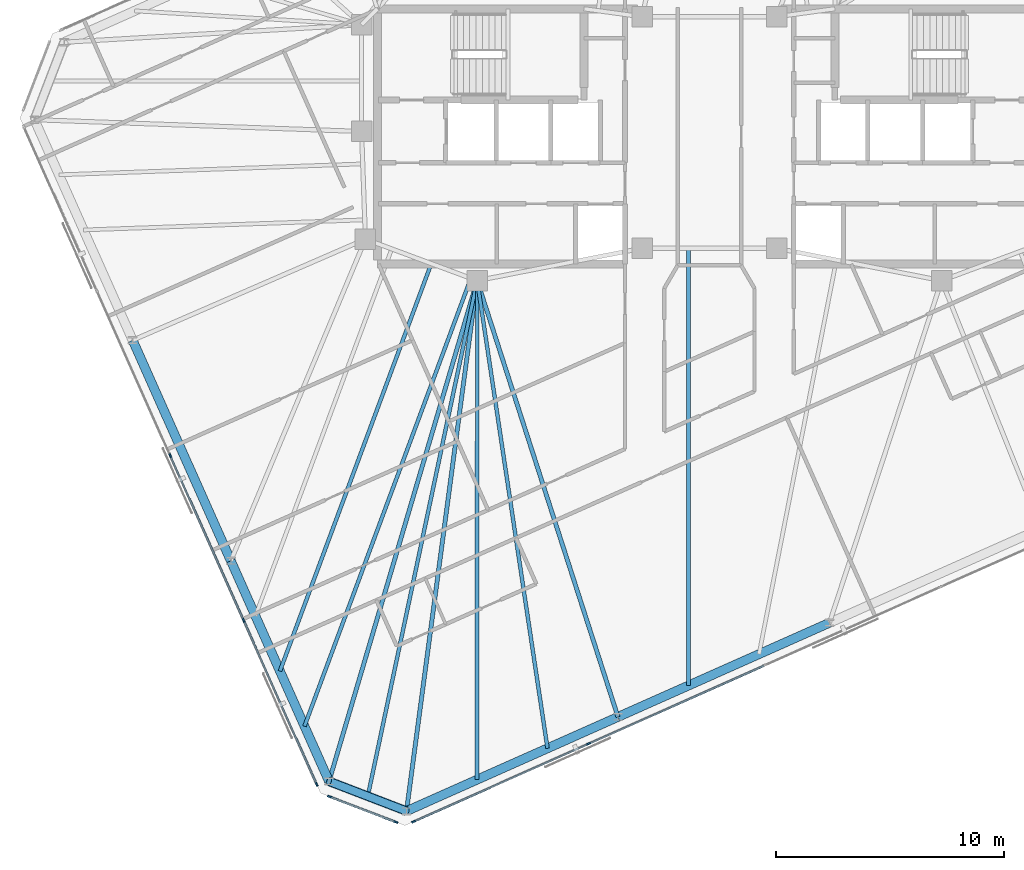
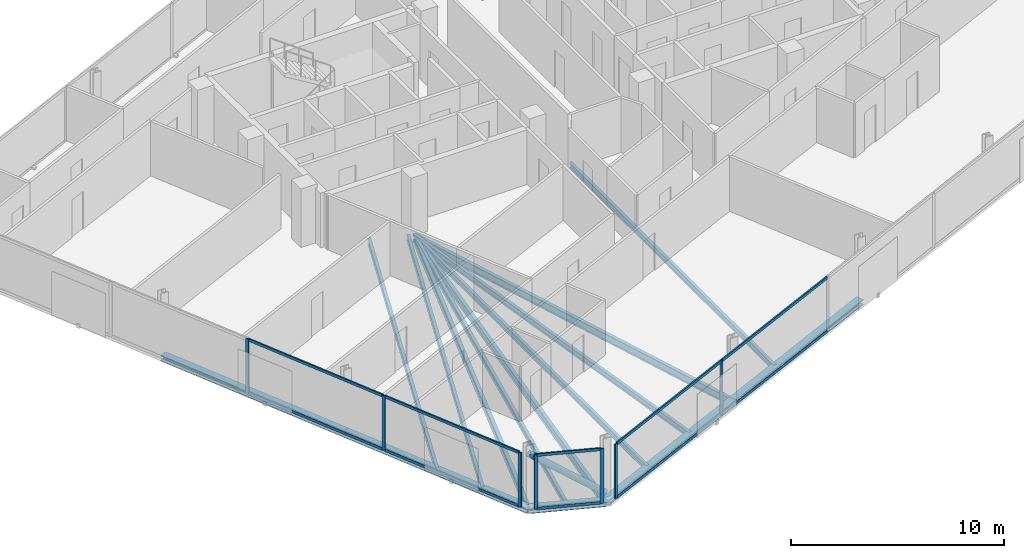
# One storey, part 5 of 18: 18 members, 14 beams, 3 elements without a shape of their own.
"""IFC4 building model written with IfcOpenShell, lengths in metres."""

from ifc_helpers import new_model, si_unit, direction, frame, origin, origin_2d, place, context, subcontext, project, spatial, rectangle, hollow_circle, i_section, extrude, material, material_profile, profile_set, type_object, element, aggregate, save


model = new_model("IFC4")

# Units and contexts
model_context = context("Model", 3, precision=1e-05, world=origin(), true_north=direction((0.0, 1.0)))
body_context = subcontext(model_context, "Body", "Model", "MODEL_VIEW")
ifc_project = project(units=[si_unit("LENGTHUNIT", "METRE"), si_unit("AREAUNIT", "SQUARE_METRE"), si_unit("VOLUMEUNIT", "CUBIC_METRE"), si_unit("PLANEANGLEUNIT", "RADIAN"), si_unit("MASSUNIT", "GRAM", prefix="KILO")], contexts=[model_context])

# Site, building, storey
site_placement = place(None, origin())
site = spatial("IfcSite", under=ifc_project, at=site_placement, CompositionType="ELEMENT")
building_placement = place(site_placement, origin())
building = spatial("IfcBuilding", under=site, at=building_placement, Name="Menara Jurai Vektor", CompositionType="ELEMENT")
storey_placement = place(building_placement, frame((0.0, 0.0, 258.85009765625)))
storey = spatial("IfcBuildingStorey", under=building, at=storey_placement, Name="L69", CompositionType="ELEMENT", Elevation=258.85009765625)

# Curtain wall, members
ifc_material_1 = material(Name="Anodised Pale Aluminium & Low-E Double Glazing", Category="aluminium")
curtain_wall_type = type_object("IfcCurtainWallType", Name="CW-BLK5", PredefinedType="NOTDEFINED", material=ifc_material_1)
curtain_wall_1_placement = place(storey_placement, origin())
curtain_wall_1 = element("IfcCurtainWall", 1, at=curtain_wall_1_placement, inside=storey, type_object=curtain_wall_type, Name="Unitised Curtain Wall L69 F01", PredefinedType="NOTDEFINED")
ifc_material_2 = material(Name="Anodised Pale Aluminium Mullion", Category="aluminium")
ifc_material_profile_1 = material_profile(ifc_material_2, rectangle(XDim=0.074951171875, YDim=0.175048828125, at=origin_2d()), Name="ALU MUL 75x175")
ifc_profile_set_1 = profile_set([ifc_material_profile_1], Name="Anodised Pale Aluminium Mullion")
member_type_1 = type_object("IfcMemberType", Name="CW-BLK5-MUL", PredefinedType="MULLION", material=ifc_profile_set_1)
member_1_placement = place(storey_placement, frame((-12.96875, -30.04052734375, 0.0), z_axis=(0.0, 0.0, 1.0), x_axis=(-0.406735498684, 0.913545967158, 0.0)))
member_1 = element("IfcMember", 2, at=member_1_placement, type_object=member_type_1, Name="CW-05 mullion 1", PredefinedType="MULLION", context=body_context, shape_type="SweptSolid", body=[
    extrude(rectangle(XDim=0.074951171875, YDim=0.175048828125, at=origin_2d()), origin(), (0.0, 0.0, 1.0), 3.125),
])
member_2_placement = place(storey_placement, frame((-5.292724609375, -26.623046875, 0.0), z_axis=(0.0, 0.0, 1.0), x_axis=(-0.406735498684, 0.913545967158, 0.0)))
member_2 = element("IfcMember", 3, at=member_2_placement, type_object=member_type_1, Name="CW-05 mullion 2", PredefinedType="MULLION", context=body_context, shape_type="SweptSolid", body=[
    extrude(rectangle(XDim=0.074951171875, YDim=0.175048828125, at=origin_2d()), origin(), (0.0, 0.0, 1.0), 3.125),
])

curtain_wall_2_placement = place(storey_placement, origin())
curtain_wall_2 = element("IfcCurtainWall", 4, at=curtain_wall_2_placement, inside=storey, type_object=curtain_wall_type, Name="Unitised Curtain Wall L69 F07", PredefinedType="NOTDEFINED")
member_3_placement = place(storey_placement, frame((-23.635986328125, -13.991943359375, 0.0), z_axis=(0.0, 0.0, 1.0), x_axis=(0.913546127706, 0.406735138086, 0.0)))
member_3 = element("IfcMember", 5, at=member_3_placement, type_object=member_type_1, Name="CW-05 mullion 3", PredefinedType="MULLION", context=body_context, shape_type="SweptSolid", body=[
    extrude(rectangle(XDim=0.074951171875, YDim=0.175048828125, at=origin_2d()), origin(), (0.0, 0.0, 1.0), 3.125),
])
member_4_placement = place(storey_placement, frame((-20.418701171875, -21.21826171875, 0.0), z_axis=(0.0, 0.0, 1.0), x_axis=(0.913546127706, 0.406735138086, 0.0)))
member_4 = element("IfcMember", 6, at=member_4_placement, type_object=member_type_1, Name="CW-05 mullion 4", PredefinedType="MULLION", context=body_context, shape_type="SweptSolid", body=[
    extrude(rectangle(XDim=0.074951171875, YDim=0.175048828125, at=origin_2d()), origin(), (0.0, 0.0, 1.0), 3.125),
])
member_5_placement = place(storey_placement, frame((-17.216796875, -28.41015625, 0.0), z_axis=(0.0, 0.0, 1.0), x_axis=(0.913546127706, 0.406735138086, 0.0)))
member_5 = element("IfcMember", 7, at=member_5_placement, type_object=member_type_1, Name="CW-05 mullion 5", PredefinedType="MULLION", context=body_context, shape_type="SweptSolid", body=[
    extrude(rectangle(XDim=0.074951171875, YDim=0.175048828125, at=origin_2d()), origin(), (0.0, 0.0, 1.0), 3.125),
])

curtain_wall_3_placement = place(storey_placement, origin())
curtain_wall_3 = element("IfcCurtainWall", 8, at=curtain_wall_3_placement, inside=storey, type_object=curtain_wall_type, Name="Unitised Curtain Wall L69 F08", PredefinedType="NOTDEFINED")
member_6_placement = place(storey_placement, frame((-16.656982421875, -28.94091796875, 0.0), z_axis=(0.0, 0.0, 1.0), x_axis=(0.358373766287, 0.933578193639, 0.0)))
member_6 = element("IfcMember", 9, at=member_6_placement, type_object=member_type_1, Name="CW-05 mullion 1", PredefinedType="MULLION", context=body_context, shape_type="SweptSolid", body=[
    extrude(rectangle(XDim=0.074951171875, YDim=0.175048828125, at=origin_2d()), origin(), (0.0, 0.0, 1.0), 3.125),
])
member_7_placement = place(storey_placement, frame((-13.739990234375, -30.060791015625, 0.0), z_axis=(0.0, 0.0, 1.0), x_axis=(0.358373766287, 0.933578193639, 0.0)))
member_7 = element("IfcMember", 10, at=member_7_placement, type_object=member_type_1, Name="CW-05 mullion 2", PredefinedType="MULLION", context=body_context, shape_type="SweptSolid", body=[
    extrude(rectangle(XDim=0.074951171875, YDim=0.175048828125, at=origin_2d()), origin(), (0.0, 0.0, 1.0), 3.125),
])

# Member
ifc_material_3 = material(Name="Anodised Pale Aluminium Transom", Category="aluminium")
ifc_material_profile_2 = material_profile(ifc_material_3, rectangle(XDim=0.074951171875, YDim=0.155029296875, at=origin_2d()), Name="ALU TRN 75x155")
ifc_profile_set_2 = profile_set([ifc_material_profile_2], Name="Anodised Pale Aluminium Transom")
member_type_2 = type_object("IfcMemberType", Name="CW-BLK5-TRN", PredefinedType="USERDEFINED", material=ifc_profile_set_2)
member_8_placement = place(storey_placement, frame((-12.9345703125, -30.025390625, 0.037353515625), z_axis=(0.913542963736, 0.406742244436, 0.0), x_axis=(-0.406742244436, 0.913542963736, 0.0)))
member_8 = element("IfcMember", 11, at=member_8_placement, type_object=member_type_2, Name="CW-05 transom 1.1", ObjectType="TRANSOM", PredefinedType="USERDEFINED", context=body_context, shape_type="SweptSolid", body=[
    extrude(rectangle(XDim=0.074951171875, YDim=0.155029296875, at=origin_2d()), origin(), (0.0, 0.0, 1.0), 8.32763671875),
])

member_9_placement = place(storey_placement, frame((-12.9345703125, -30.025390625, 3.08740234375), z_axis=(0.913542963736, 0.406742244436, 0.0), x_axis=(-0.406742244436, 0.913542963736, 0.0)))
member_9 = element("IfcMember", 12, at=member_9_placement, type_object=member_type_2, Name="CW-05 transom 1.2", ObjectType="TRANSOM", PredefinedType="USERDEFINED", context=body_context, shape_type="SweptSolid", body=[
    extrude(rectangle(XDim=0.074951171875, YDim=0.155029296875, at=origin_2d()), origin(), (0.0, 0.0, 1.0), 8.32763671875),
])

member_10_placement = place(storey_placement, frame((-5.25830078125, -26.60791015625, 0.037353515625), z_axis=(0.913541747007, 0.406744977198, 0.0), x_axis=(-0.406744977198, 0.913541747007, 0.0)))
member_10 = element("IfcMember", 13, at=member_10_placement, type_object=member_type_2, Name="CW-05 transom 2.1", ObjectType="TRANSOM", PredefinedType="USERDEFINED", context=body_context, shape_type="SweptSolid", body=[
    extrude(rectangle(XDim=0.074951171875, YDim=0.155029296875, at=origin_2d()), origin(), (0.0, 0.0, 1.0), 8.36474609375),
])

member_11_placement = place(storey_placement, frame((-5.25830078125, -26.60791015625, 3.08740234375), z_axis=(0.913541747007, 0.406744977198, 0.0), x_axis=(-0.406744977198, 0.913541747007, 0.0)))
member_11 = element("IfcMember", 14, at=member_11_placement, type_object=member_type_2, Name="CW-05 transom 2.2", ObjectType="TRANSOM", PredefinedType="USERDEFINED", context=body_context, shape_type="SweptSolid", body=[
    extrude(rectangle(XDim=0.074951171875, YDim=0.155029296875, at=origin_2d()), origin(), (0.0, 0.0, 1.0), 8.36474609375),
])

aggregate(curtain_wall_1, [member_1, member_2, member_8, member_9, member_10, member_11])

member_12_placement = place(storey_placement, frame((-23.620849609375, -14.0263671875, 0.037353515625), z_axis=(0.40674264085, -0.913542787238, 0.0), x_axis=(0.913542787238, 0.40674264085, 0.0)))
member_12 = element("IfcMember", 15, at=member_12_placement, type_object=member_type_2, Name="CW-05 transom 3.1", ObjectType="TRANSOM", PredefinedType="USERDEFINED", context=body_context, shape_type="SweptSolid", body=[
    extrude(rectangle(XDim=0.074951171875, YDim=0.155029296875, at=origin_2d()), origin(), (0.0, 0.0, 1.0), 7.8349609375),
])

member_13_placement = place(storey_placement, frame((-23.620849609375, -14.0263671875, 3.08740234375), z_axis=(0.40674264085, -0.913542787238, 0.0), x_axis=(0.913542787238, 0.40674264085, 0.0)))
member_13 = element("IfcMember", 16, at=member_13_placement, type_object=member_type_2, Name="CW-05 transom 3.2", ObjectType="TRANSOM", PredefinedType="USERDEFINED", context=body_context, shape_type="SweptSolid", body=[
    extrude(rectangle(XDim=0.074951171875, YDim=0.155029296875, at=origin_2d()), origin(), (0.0, 0.0, 1.0), 7.8349609375),
])

member_14_placement = place(storey_placement, frame((-20.403564453125, -21.25244140625, 0.037353515625), z_axis=(0.406751345283, -0.913538911656, 0.0), x_axis=(0.913538911656, 0.406751345283, 0.0)))
member_14 = element("IfcMember", 17, at=member_14_placement, type_object=member_type_2, Name="CW-05 transom 4.1", ObjectType="TRANSOM", PredefinedType="USERDEFINED", context=body_context, shape_type="SweptSolid", body=[
    extrude(rectangle(XDim=0.074951171875, YDim=0.155029296875, at=origin_2d()), origin(), (0.0, 0.0, 1.0), 7.79736328125),
])

member_15_placement = place(storey_placement, frame((-20.403564453125, -21.25244140625, 3.08740234375), z_axis=(0.406751345283, -0.913538911656, 0.0), x_axis=(0.913538911656, 0.406751345283, 0.0)))
member_15 = element("IfcMember", 18, at=member_15_placement, type_object=member_type_2, Name="CW-05 transom 4.2", ObjectType="TRANSOM", PredefinedType="USERDEFINED", context=body_context, shape_type="SweptSolid", body=[
    extrude(rectangle(XDim=0.074951171875, YDim=0.155029296875, at=origin_2d()), origin(), (0.0, 0.0, 1.0), 7.79736328125),
])

aggregate(curtain_wall_2, [member_3, member_4, member_5, member_12, member_13, member_14, member_15])

member_16_placement = place(storey_placement, frame((-16.6220703125, -28.95458984375, 0.037353515625), z_axis=(0.933597094911, -0.358324523823, 0.0), x_axis=(0.358324523823, 0.933597094911, 0.0)))
member_16 = element("IfcMember", 19, at=member_16_placement, type_object=member_type_2, Name="CW-05 transom 1.1", ObjectType="TRANSOM", PredefinedType="USERDEFINED", context=body_context, shape_type="SweptSolid", body=[
    extrude(rectangle(XDim=0.074951171875, YDim=0.155029296875, at=origin_2d()), origin(), (0.0, 0.0, 1.0), 3.049560546875),
])

member_17_placement = place(storey_placement, frame((-16.6220703125, -28.95458984375, 3.08740234375), z_axis=(0.933597094911, -0.358324523823, 0.0), x_axis=(0.358324523823, 0.933597094911, 0.0)))
member_17 = element("IfcMember", 20, at=member_17_placement, type_object=member_type_2, Name="CW-05 transom 1.2", ObjectType="TRANSOM", PredefinedType="USERDEFINED", context=body_context, shape_type="SweptSolid", body=[
    extrude(rectangle(XDim=0.074951171875, YDim=0.155029296875, at=origin_2d()), origin(), (0.0, 0.0, 1.0), 3.049560546875),
])

aggregate(curtain_wall_3, [member_6, member_7, member_16, member_17])

# Beams
ifc_material_4 = material(Name="Steel S355", Category="steel")
ifc_material_profile_3 = material_profile(ifc_material_4, i_section(OverallWidth=0.18505859375, OverallDepth=0.429931640625, WebThickness=0.010986328125, FlangeThickness=0.01806640625, at=origin_2d()), Name="PG 430x185x76")
ifc_profile_set_3 = profile_set([ifc_material_profile_3], Name="Steel S355")
beam_type_1 = type_object("IfcBeamType", Name="STR-BM-430", PredefinedType="BEAM", material=ifc_profile_set_3)
beam_1_placement = place(storey_placement, frame((-13.279541015625, -29.576904296875, -0.440185546875), z_axis=(0.132109192855, 0.991235169454, 0.0), x_axis=(-0.991235169454, 0.132109192855, 0.0)))
element("IfcBeam", 21, at=beam_1_placement, inside=storey, type_object=beam_type_1, Name="Radial Floor Girder L69-S1", PredefinedType="BEAM", context=body_context, shape_type="SweptSolid", body=[
    extrude(i_section(OverallWidth=0.18505859375, OverallDepth=0.429931640625, WebThickness=0.010986328125, FlangeThickness=0.01806640625, at=origin_2d()), origin(), (0.0, 0.0, 1.0), 23.46240234375),
])
beam_2_placement = place(storey_placement, frame((-4.006103515625, -25.4482421875, -0.440185546875), z_axis=(-0.307158217721, 0.95165846252, 0.0), x_axis=(-0.95165846252, -0.307158217721, 0.0)))
element("IfcBeam", 22, at=beam_2_placement, inside=storey, type_object=beam_type_1, Name="Radial Floor Girder L69-S2", PredefinedType="BEAM", context=body_context, shape_type="SweptSolid", body=[
    extrude(i_section(OverallWidth=0.18505859375, OverallDepth=0.429931640625, WebThickness=0.010986328125, FlangeThickness=0.01806640625, at=origin_2d()), origin(), (0.0, 0.0, 1.0), 20.099853515625),
])
beam_3_placement = place(storey_placement, frame((-16.675537109375, -28.2734375, -0.440185546875), z_axis=(0.283723047838, 0.958906268686, 0.0), x_axis=(-0.958906268686, 0.283723047838, 0.0)))
element("IfcBeam", 23, at=beam_3_placement, inside=storey, type_object=beam_type_1, Name="Radial Floor Girder L69-W4", PredefinedType="BEAM", context=body_context, shape_type="SweptSolid", body=[
    extrude(i_section(OverallWidth=0.18505859375, OverallDepth=0.429931640625, WebThickness=0.010986328125, FlangeThickness=0.01806640625, at=origin_2d()), origin(), (0.0, 0.0, 1.0), 22.894287109375),
])
ifc_material_5 = material(Name="Steel S460", Category="steel")
ifc_material_profile_4 = material_profile(ifc_material_5, i_section(OverallWidth=0.39697265625, OverallDepth=0.31591796875, WebThickness=0.030029296875, FlangeThickness=0.048095703125, FilletRadius=0.014892578125, at=origin_2d()), Name="HD 400x382")
ifc_profile_set_4 = profile_set([ifc_material_profile_4], Name="Steel S460")
beam_type_2 = type_object("IfcBeamType", Name="STR-BM-CHORD382", PredefinedType="SPANDREL", material=ifc_profile_set_4)
beam_4_placement = place(storey_placement, frame((-13.279541015625, -29.576904296875, -0.383056640625), z_axis=(0.913550519143, 0.406725274569, 0.0), x_axis=(-0.406725274569, 0.913550519143, 0.0)))
element("IfcBeam", 24, at=beam_4_placement, inside=storey, type_object=beam_type_2, Name="Exoskeleton Spandrel Beam L69-01", PredefinedType="SPANDREL", context=body_context, shape_type="SweptSolid", body=[
    extrude(i_section(OverallWidth=0.39697265625, OverallDepth=0.31591796875, WebThickness=0.030029296875, FlangeThickness=0.048095703125, FilletRadius=0.014892578125, at=origin_2d()), origin(), (0.0, 0.0, 1.0), 10.15087890625),
])
beam_5_placement = place(storey_placement, frame((-4.006103515625, -25.4482421875, -0.383056640625), z_axis=(0.913545561407, 0.406736410017, 0.0), x_axis=(-0.406736410017, 0.913545561407, 0.0)))
element("IfcBeam", 25, at=beam_5_placement, inside=storey, type_object=beam_type_2, Name="Exoskeleton Spandrel Beam L69-02", PredefinedType="SPANDREL", context=body_context, shape_type="SweptSolid", body=[
    extrude(i_section(OverallWidth=0.39697265625, OverallDepth=0.31591796875, WebThickness=0.030029296875, FlangeThickness=0.048095703125, FilletRadius=0.014892578125, at=origin_2d()), origin(), (0.0, 0.0, 1.0), 10.1513671875),
])
for number, where, z_axis, x_axis, name in (
    (26, (-25.286376953125, -8.933349609375, -0.383056640625), (0.406744000616, -0.913542181819, 0.0), (0.913542181819, 0.406744000616, 0.0), "Exoskeleton Spandrel Beam L69-18"),
    (27, (-20.98095703125, -18.603271484375, -0.383056640625), (0.40673543049, -0.91354599752, 0.0), (0.91354599752, 0.40673543049, 0.0), "Exoskeleton Spandrel Beam L69-19"),
):
    element("IfcBeam", number, at=place(storey_placement, frame(where, z_axis=z_axis, x_axis=x_axis)), inside=storey, type_object=beam_type_2, Name=name, PredefinedType="SPANDREL", context=body_context, shape_type="SweptSolid", body=[
        extrude(i_section(OverallWidth=0.39697265625, OverallDepth=0.31591796875, WebThickness=0.030029296875, FlangeThickness=0.048095703125, FilletRadius=0.014892578125, at=origin_2d()), origin(), (0.0, 0.0, 1.0), 10.585205078125),
    ])
beam_6_placement = place(storey_placement, frame((-16.675537109375, -28.2734375, -0.383056640625), z_axis=(0.933592747566, -0.358335850414, 0.0), x_axis=(0.358335850414, 0.933592747566, 0.0)))
element("IfcBeam", 28, at=beam_6_placement, inside=storey, type_object=beam_type_2, Name="Exoskeleton Spandrel Beam L69-20", PredefinedType="SPANDREL", context=body_context, shape_type="SweptSolid", body=[
    extrude(i_section(OverallWidth=0.39697265625, OverallDepth=0.31591796875, WebThickness=0.030029296875, FlangeThickness=0.048095703125, FilletRadius=0.014892578125, at=origin_2d()), origin(), (0.0, 0.0, 1.0), 3.637451171875),
])

# Member
ifc_material_profile_5 = material_profile(ifc_material_5, hollow_circle(Radius=0.177734375, WallThickness=0.01611328125, at=origin_2d()), Name="CHS 355.6x16")
ifc_profile_set_5 = profile_set([ifc_material_profile_5], Name="Steel S460")
member_type_3 = type_object("IfcMemberType", Name="STR-BR-356", PredefinedType="BRACE", material=ifc_profile_set_5)
member_18_placement = place(storey_placement, frame((-13.279541015625, -29.576904296875, 0.14990234375), z_axis=(-0.757054002265, 0.290575939475, 0.585179340931), x_axis=(-0.358335850414, -0.933592747566, 0.0)))
element("IfcMember", 29, at=member_18_placement, inside=storey, type_object=member_type_3, Name="Exoskeleton Corner Brace L69-4", PredefinedType="BRACE", context=body_context, shape_type="SweptSolid", body=[
    extrude(hollow_circle(Radius=0.177734375, WallThickness=0.01611328125, at=origin_2d()), origin(), (0.0, 0.0, 1.0), 4.48583984375),
])

# Beams
ifc_material_profile_6 = material_profile(ifc_material_4, i_section(OverallWidth=0.1650390625, OverallDepth=0.330078125, WebThickness=0.009033203125, FlangeThickness=0.013916015625, at=origin_2d()), Name="PG 330x165x46")
ifc_profile_set_6 = profile_set([ifc_material_profile_6], Name="Steel S355")
beam_type_3 = type_object("IfcBeamType", Name="STR-JS-330", PredefinedType="JOIST", material=ifc_profile_set_6)
beam_7_placement = place(storey_placement, frame((-10.188232421875, -28.20068359375, -0.39013671875), z_axis=(0.000379366876, 0.99999992804, 0.0), x_axis=(-0.99999992804, 0.000379366876, 0.0)))
element("IfcBeam", 30, at=beam_7_placement, inside=storey, type_object=beam_type_3, Name="Radial Secondary Floor Joist L69-JS01", PredefinedType="JOIST", context=body_context, shape_type="SweptSolid", body=[
    extrude(i_section(OverallWidth=0.1650390625, OverallDepth=0.330078125, WebThickness=0.009033203125, FlangeThickness=0.013916015625, at=origin_2d()), origin(), (0.0, 0.0, 1.0), 21.880615234375),
])
beam_8_placement = place(storey_placement, frame((-7.09716796875, -26.824462890625, -0.39013671875), z_axis=(-0.148675540239, 0.988886031722, 0.0), x_axis=(-0.988886031722, -0.148675540239, 0.0)))
element("IfcBeam", 31, at=beam_8_placement, inside=storey, type_object=beam_type_3, Name="Radial Secondary Floor Joist L69-JS02", PredefinedType="JOIST", context=body_context, shape_type="SweptSolid", body=[
    extrude(i_section(OverallWidth=0.1650390625, OverallDepth=0.330078125, WebThickness=0.009033203125, FlangeThickness=0.013916015625, at=origin_2d()), origin(), (0.0, 0.0, 1.0), 20.73486328125),
])
beam_9_placement = place(storey_placement, frame((-0.914794921875, -24.072021484375, -0.39013671875), z_axis=(0.0, 1.0, 0.0), x_axis=(-1.0, 0.0, 0.0)))
element("IfcBeam", 32, at=beam_9_placement, inside=storey, type_object=beam_type_3, Name="Radial Secondary Floor Joist L69-JS03", PredefinedType="JOIST", context=body_context, shape_type="SweptSolid", body=[
    extrude(i_section(OverallWidth=0.1650390625, OverallDepth=0.330078125, WebThickness=0.009033203125, FlangeThickness=0.013916015625, at=origin_2d()), origin(), (0.0, 0.0, 1.0), 19.172119140625),
])
beam_10_placement = place(storey_placement, frame((-18.828125, -23.4384765625, -0.39013671875), z_axis=(0.348177845571, 0.937428497462, 0.0), x_axis=(-0.937428497462, 0.348177845571, 0.0)))
element("IfcBeam", 33, at=beam_10_placement, inside=storey, type_object=beam_type_3, Name="Radial Secondary Floor Joist L69-JS29", PredefinedType="JOIST", context=body_context, shape_type="SweptSolid", body=[
    extrude(i_section(OverallWidth=0.1650390625, OverallDepth=0.330078125, WebThickness=0.009033203125, FlangeThickness=0.013916015625, at=origin_2d()), origin(), (0.0, 0.0, 1.0), 19.05859375),
])
beam_11_placement = place(storey_placement, frame((-17.751953125, -25.85595703125, -0.39013671875), z_axis=(0.348185651823, 0.937425598042, 0.0), x_axis=(-0.937425598042, 0.348185651823, 0.0)))
element("IfcBeam", 34, at=beam_11_placement, inside=storey, type_object=beam_type_3, Name="Radial Secondary Floor Joist L69-JS30", PredefinedType="JOIST", context=body_context, shape_type="SweptSolid", body=[
    extrude(i_section(OverallWidth=0.1650390625, OverallDepth=0.330078125, WebThickness=0.009033203125, FlangeThickness=0.013916015625, at=origin_2d()), origin(), (0.0, 0.0, 1.0), 20.949951171875),
])
beam_12_placement = place(storey_placement, frame((-14.9775390625, -28.92529296875, -0.39013671875), z_axis=(0.207610208592, 0.978211634202, 0.0), x_axis=(-0.978211634202, 0.207610208592, 0.0)))
element("IfcBeam", 35, at=beam_12_placement, inside=storey, type_object=beam_type_3, Name="Radial Secondary Floor Joist L69-JS31", PredefinedType="JOIST", context=body_context, shape_type="SweptSolid", body=[
    extrude(i_section(OverallWidth=0.1650390625, OverallDepth=0.330078125, WebThickness=0.009033203125, FlangeThickness=0.013916015625, at=origin_2d()), origin(), (0.0, 0.0, 1.0), 23.108642578125),
])

save(model, "model.ifc")
